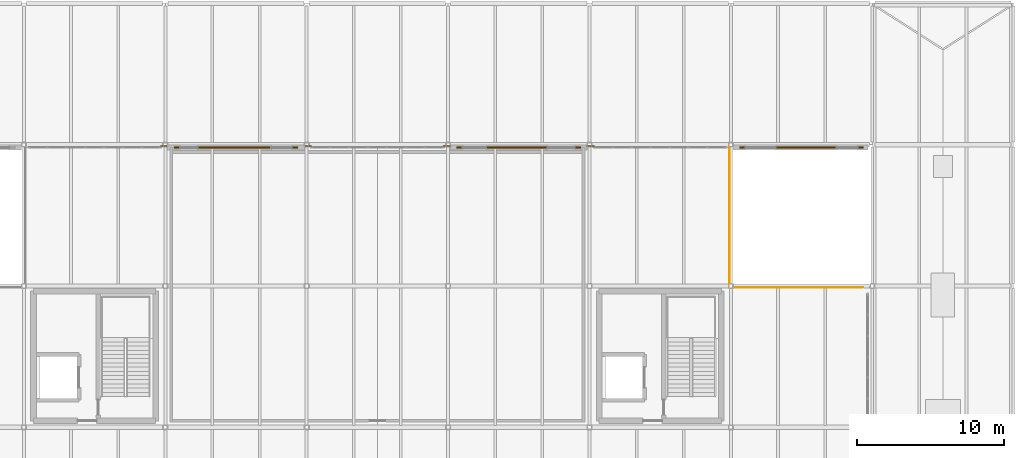
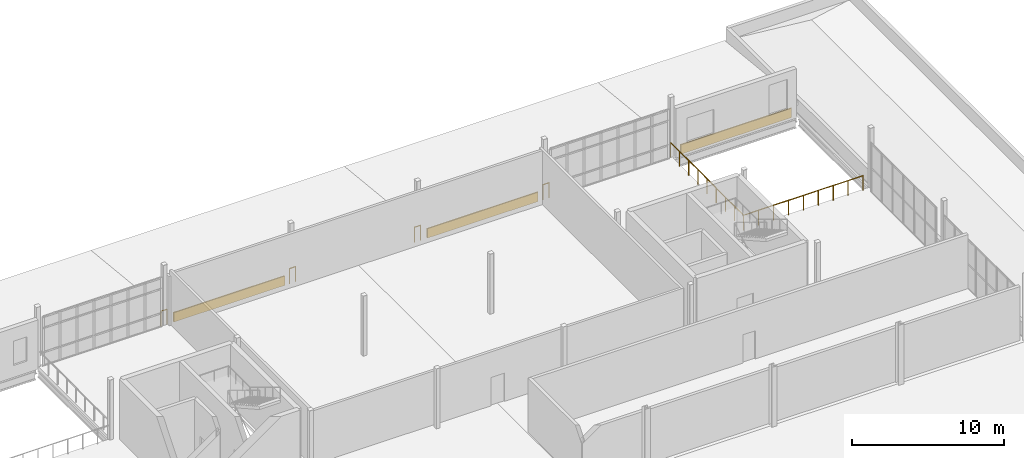
# One storey, part 109 of 112: 6 railings, 3 coverings.
"""IFC4 building model written with IfcOpenShell, lengths in metres."""

from ifc_helpers import new_model, si_unit, direction, frame, origin, origin_2d, place, context, subcontext, project, spatial, rectangle, circle, extrude, material, layer, layer_set, type_object, element, save


model = new_model("IFC4")

# Units and contexts
model_context = context("Model", 3, precision=1e-05, world=origin(), true_north=direction((0.0, 1.0)))
body_context = subcontext(model_context, "Body", "Model", "MODEL_VIEW")
ifc_project = project(units=[si_unit("LENGTHUNIT", "METRE"), si_unit("AREAUNIT", "SQUARE_METRE"), si_unit("VOLUMEUNIT", "CUBIC_METRE"), si_unit("PLANEANGLEUNIT", "RADIAN"), si_unit("MASSUNIT", "GRAM", prefix="KILO")], contexts=[model_context])

# Site, building, storey
site_placement = place(None, origin())
site = spatial("IfcSite", under=ifc_project, at=site_placement, CompositionType="ELEMENT")
building_placement = place(site_placement, origin())
building = spatial("IfcBuilding", under=site, at=building_placement, Name="Yeouljin Market Hall", CompositionType="ELEMENT")
storey_placement = place(building_placement, frame((0.0, 0.0, 6.0)))
storey = spatial("IfcBuildingStorey", under=building, at=storey_placement, Name="L01", CompositionType="ELEMENT", Elevation=6.0)

# Coverings
ifc_material_1 = material(Name="Clinker Brick Masonry F2-S2", Category="masonry")
ifc_layer = layer(ifc_material_1, 0.090087890625)
ifc_layer_set = layer_set([ifc_layer], Name="Clinker Brick Masonry F2-S2")
covering_type = type_object("IfcCoveringType", Name="Covering_Brick_FacadeCladding", PredefinedType="CLADDING", material=ifc_layer_set)
for number, where, z_axis, x_axis, name in (
    (1, (78.60009765625, 107.800048828125, 0.074951171875), (0.0, 0.0, 1.0), (1.0, 0.0, 0.0), "Muizentand clinker brick spandrel band L01-19"),
    (2, (97.800048828125, 107.800048828125, 0.074951171875), (0.0, 0.0, 1.0), (1.0, 0.0, 0.0), "Muizentand clinker brick spandrel band L01-21"),
    (3, (117.0, 107.800048828125, 0.074951171875), (0.0, 0.0, 1.0), (1.0, 0.0, 0.0), "Muizentand clinker brick spandrel band L01-23"),
):
    element("IfcCovering", number, at=place(storey_placement, frame(where, z_axis=z_axis, x_axis=x_axis)), inside=storey, type_object=covering_type, Name=name, PredefinedType="CLADDING", context=body_context, shape_type="SweptSolid", body=[
        extrude(rectangle(XDim=8.39990234375, YDim=0.090087890625, at=origin_2d()), origin(), (0.0, 0.0, 1.0), 0.75),
    ])

# Railings
ifc_material_2 = material(Name="Wrought Iron and Bronze Gallery Balustrade")
railing_type = type_object("IfcRailingType", Name="Railing_AtriumBalustrade_1200", PredefinedType="BALUSTRADE", material=ifc_material_2)
railing_1_placement = place(storey_placement, frame((73.5, 107.89990234375, 0.0)))
element("IfcRailing", 4, at=railing_1_placement, inside=storey, type_object=railing_type, Name="Gallery & deck edge balustrade L01-075", PredefinedType="BALUSTRADE", context=body_context, shape_type="SweptSolid", body=[
    extrude(circle(Radius=0.02392578125, at=origin_2d()), frame((0.0, 0.0, 1.17578125), z_axis=(1.0, 0.0, 0.0), x_axis=(0.0, 1.0, 0.0)), (0.0, 0.0, 1.0), 0.4580078125),
    extrude(circle(Radius=0.02099609375, at=origin_2d()), origin(), (0.0, 0.0, 1.0), 1.15185546875),
    extrude(circle(Radius=0.02099609375, at=origin_2d()), frame((0.4580078125, 0.0, 0.0)), (0.0, 0.0, 1.0), 1.15185546875),
])
railing_2_placement = place(storey_placement, frame((83.243896484375, 107.89990234375, 0.0)))
element("IfcRailing", 5, at=railing_2_placement, inside=storey, type_object=railing_type, Name="Gallery & deck edge balustrade L01-076", PredefinedType="BALUSTRADE", context=body_context, shape_type="SweptSolid", body=[
    extrude(circle(Radius=0.02392578125, at=origin_2d()), frame((0.0, 0.0, 1.17578125), z_axis=(1.0, 0.0, 0.0), x_axis=(0.0, 1.0, 0.0)), (0.0, 0.0, 1.0), 0.4560546875),
    extrude(circle(Radius=0.02099609375, at=origin_2d()), origin(), (0.0, 0.0, 1.0), 1.15185546875),
    extrude(circle(Radius=0.02099609375, at=origin_2d()), frame((0.4560546875, 0.0, 0.0)), (0.0, 0.0, 1.0), 1.15185546875),
])
for number, where, name in (
    (6, (92.699951171875, 107.89990234375, 0.0), "Gallery & deck edge balustrade L01-077"),
    (7, (102.44189453125, 107.89990234375, 0.0), "Gallery & deck edge balustrade L01-078"),
):
    element("IfcRailing", number, at=place(storey_placement, frame(where)), inside=storey, type_object=railing_type, Name=name, PredefinedType="BALUSTRADE", context=body_context, shape_type="SweptSolid", body=[
        extrude(circle(Radius=0.02392578125, at=origin_2d()), frame((0.0, 0.0, 1.17578125), z_axis=(1.0, 0.0, 0.0), x_axis=(0.0, 1.0, 0.0)), (0.0, 0.0, 1.0), 0.4580078125),
        extrude(circle(Radius=0.02099609375, at=origin_2d()), origin(), (0.0, 0.0, 1.0), 1.15185546875),
        extrude(circle(Radius=0.02099609375, at=origin_2d()), frame((0.4580078125, 0.0, 0.0)), (0.0, 0.0, 1.0), 1.15185546875),
    ])
railing_3_placement = place(storey_placement, frame((112.10009765625, 107.89990234375, 0.0)))
element("IfcRailing", 8, at=railing_3_placement, inside=storey, type_object=railing_type, Name="Gallery & deck edge balustrade L01-079", PredefinedType="BALUSTRADE", context=body_context, shape_type="SweptSolid", body=[
    extrude(circle(Radius=0.02392578125, at=origin_2d()), frame((0.0, 0.0, 1.17578125), z_axis=(0.0, -1.0, 0.0), x_axis=(1.0, 0.0, 0.0)), (0.0, 0.0, 1.0), 9.599853515625),
    extrude(circle(Radius=0.02099609375, at=origin_2d()), origin(), (0.0, 0.0, 1.0), 1.15185546875),
    extrude(circle(Radius=0.02099609375, at=origin_2d()), frame((0.0, -1.199951171875, 0.0)), (0.0, 0.0, 1.0), 1.15185546875),
    extrude(circle(Radius=0.02099609375, at=origin_2d()), frame((0.0, -2.39990234375, 0.0)), (0.0, 0.0, 1.0), 1.15185546875),
    extrude(circle(Radius=0.02099609375, at=origin_2d()), frame((0.0, -3.599853515625, 0.0)), (0.0, 0.0, 1.0), 1.15185546875),
    extrude(circle(Radius=0.02099609375, at=origin_2d()), frame((0.0, -4.7998046875, 0.0)), (0.0, 0.0, 1.0), 1.15185546875),
    extrude(circle(Radius=0.02099609375, at=origin_2d()), frame((0.0, -6.0, 0.0)), (0.0, 0.0, 1.0), 1.15185546875),
    extrude(circle(Radius=0.02099609375, at=origin_2d()), frame((0.0, -7.199951171875, 0.0)), (0.0, 0.0, 1.0), 1.15185546875),
    extrude(circle(Radius=0.02099609375, at=origin_2d()), frame((0.0, -8.39990234375, 0.0)), (0.0, 0.0, 1.0), 1.15185546875),
    extrude(circle(Radius=0.02099609375, at=origin_2d()), frame((0.0, -9.599853515625, 0.0)), (0.0, 0.0, 1.0), 1.15185546875),
])
railing_4_placement = place(storey_placement, frame((112.10009765625, 98.300048828125, 0.0)))
element("IfcRailing", 9, at=railing_4_placement, inside=storey, type_object=railing_type, Name="Gallery & deck edge balustrade L01-080", PredefinedType="BALUSTRADE", context=body_context, shape_type="SweptSolid", body=[
    extrude(circle(Radius=0.02392578125, at=origin_2d()), frame((0.0, 0.0, 1.17578125), z_axis=(1.0, 0.0, 0.0), x_axis=(0.0, 1.0, 0.0)), (0.0, 0.0, 1.0), 9.0498046875),
    extrude(circle(Radius=0.02099609375, at=origin_2d()), origin(), (0.0, 0.0, 1.0), 1.15185546875),
    extrude(circle(Radius=0.02099609375, at=origin_2d()), frame((1.13134765625, 0.0, 0.0)), (0.0, 0.0, 1.0), 1.15185546875),
    extrude(circle(Radius=0.02099609375, at=origin_2d()), frame((2.262451171875, 0.0, 0.0)), (0.0, 0.0, 1.0), 1.15185546875),
    extrude(circle(Radius=0.02099609375, at=origin_2d()), frame((3.3935546875, 0.0, 0.0)), (0.0, 0.0, 1.0), 1.15185546875),
    extrude(circle(Radius=0.02099609375, at=origin_2d()), frame((4.52490234375, 0.0, 0.0)), (0.0, 0.0, 1.0), 1.15185546875),
    extrude(circle(Radius=0.02099609375, at=origin_2d()), frame((5.65625, 0.0, 0.0)), (0.0, 0.0, 1.0), 1.15185546875),
    extrude(circle(Radius=0.02099609375, at=origin_2d()), frame((6.787353515625, 0.0, 0.0)), (0.0, 0.0, 1.0), 1.15185546875),
    extrude(circle(Radius=0.02099609375, at=origin_2d()), frame((7.91845703125, 0.0, 0.0)), (0.0, 0.0, 1.0), 1.15185546875),
    extrude(circle(Radius=0.02099609375, at=origin_2d()), frame((9.0498046875, 0.0, 0.0)), (0.0, 0.0, 1.0), 1.15185546875),
])

save(model, "model.ifc")
